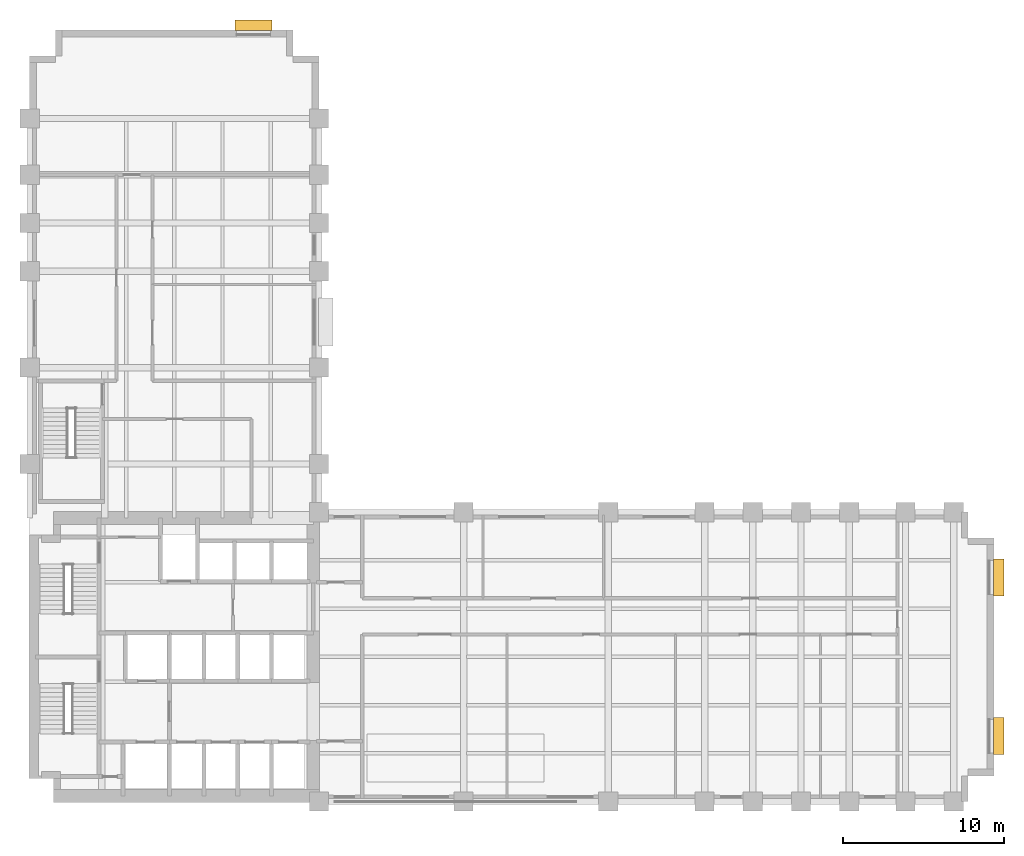
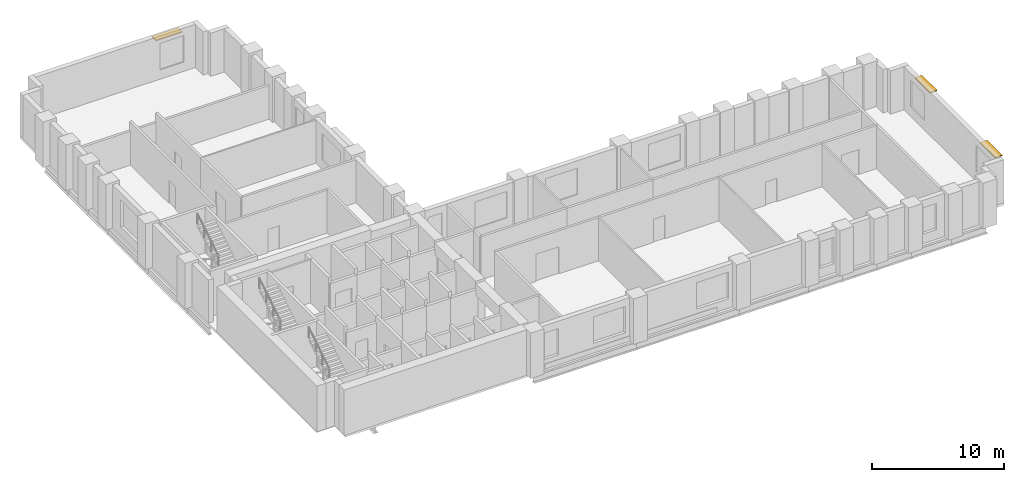
# One storey, part 8 of 8: 3 shading devices.
"""IFC4 building model written with IfcOpenShell, lengths in metres."""

from ifc_helpers import new_model, si_unit, direction, frame, origin, origin_2d, place, context, subcontext, project, spatial, rectangle, extrude, material, layer, layer_set, type_object, element, save


model = new_model("IFC4")

# Units and contexts
model_context = context("Model", 3, precision=1e-05, world=origin(), true_north=direction((0.0, 1.0)))
body_context = subcontext(model_context, "Body", "Model", "MODEL_VIEW")
ifc_project = project(units=[si_unit("LENGTHUNIT", "METRE"), si_unit("AREAUNIT", "SQUARE_METRE"), si_unit("VOLUMEUNIT", "CUBIC_METRE"), si_unit("PLANEANGLEUNIT", "RADIAN"), si_unit("MASSUNIT", "GRAM", prefix="KILO")], contexts=[model_context])

# Site, building, storey
site_placement = place(None, origin())
site = spatial("IfcSite", under=ifc_project, at=site_placement, CompositionType="ELEMENT")
building_placement = place(site_placement, origin())
building = spatial("IfcBuilding", under=site, at=building_placement, Name="Mawjdan Bourse Tower", CompositionType="ELEMENT")
storey_placement = place(building_placement, frame((0.0, 0.0, 38.39990234375)))
storey = spatial("IfcBuildingStorey", under=building, at=storey_placement, Name="L08", CompositionType="ELEMENT", Elevation=38.39990234375)

# Shading devices
ifc_material = material(Name="Bronze Anodised Aluminium", Category="aluminium")
ifc_layer = layer(ifc_material, 0.074951171875)
ifc_layer_set = layer_set([ifc_layer], Name="Bronze Anodised Aluminium")
shading_device_type = type_object("IfcShadingDeviceType", Name="SHD-SUN-650", PredefinedType="USERDEFINED", material=ifc_layer_set)
for number, where, z_axis, x_axis, name in (
    (1, (66.304931640625, 7.066650390625, 3.30029296875), (0.0, 0.0, 1.0), (0.0, 1.0, 0.0), "L08 Solar Window Hood 01"),
    (2, (66.304931640625, 16.933349609375, 3.30029296875), (0.0, 0.0, 1.0), (0.0, 1.0, 0.0), "L08 Solar Window Hood 02"),
    (3, (19.933349609375, 51.304931640625, 3.30029296875), (0.0, 0.0, 1.0), (-1.0, 0.0, 0.0), "L08 Solar Window Hood 05"),
):
    element("IfcShadingDevice", number, at=place(storey_placement, frame(where, z_axis=z_axis, x_axis=x_axis)), inside=storey, type_object=shading_device_type, Name=name, ObjectType="SUNSHADE", PredefinedType="USERDEFINED", context=body_context, shape_type="SweptSolid", body=[
        extrude(rectangle(XDim=2.300048828125, YDim=0.64990234375, at=origin_2d()), origin(), (0.0, 0.0, 1.0), 0.074951171875),
    ])

save(model, "model.ifc")
